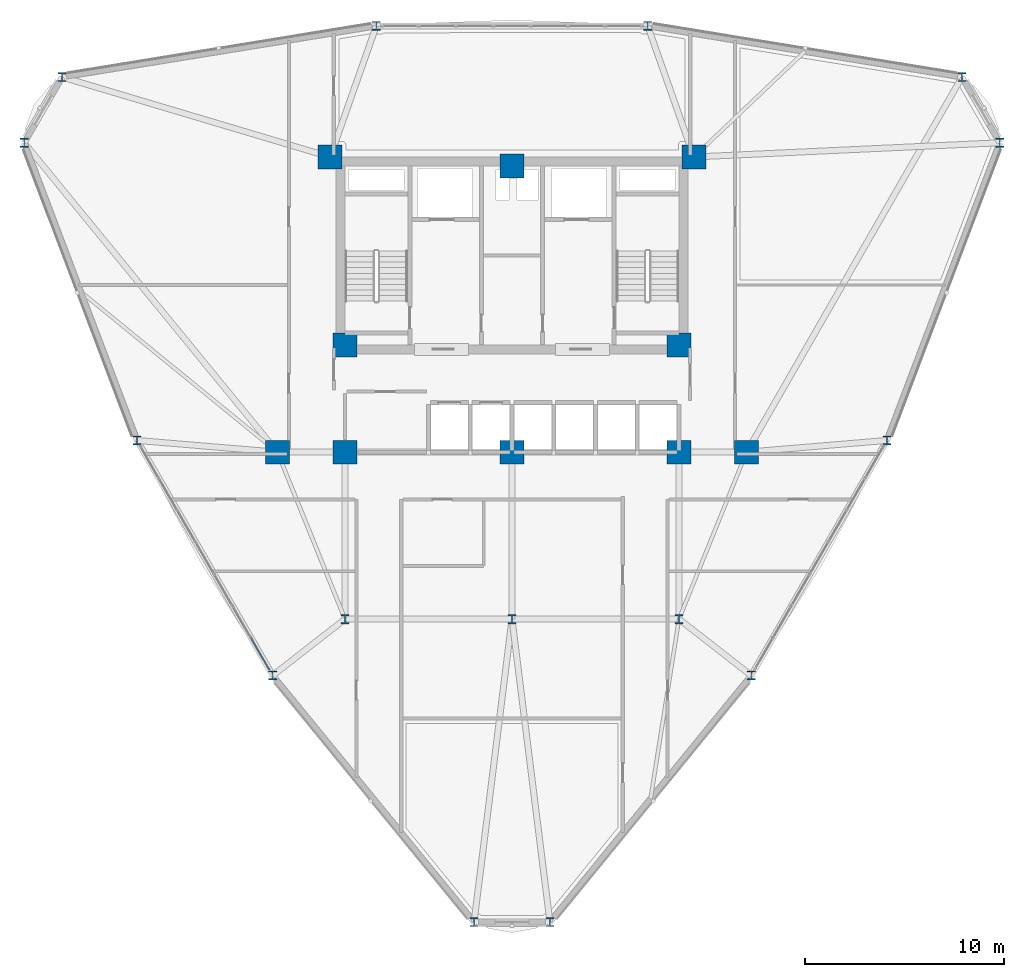
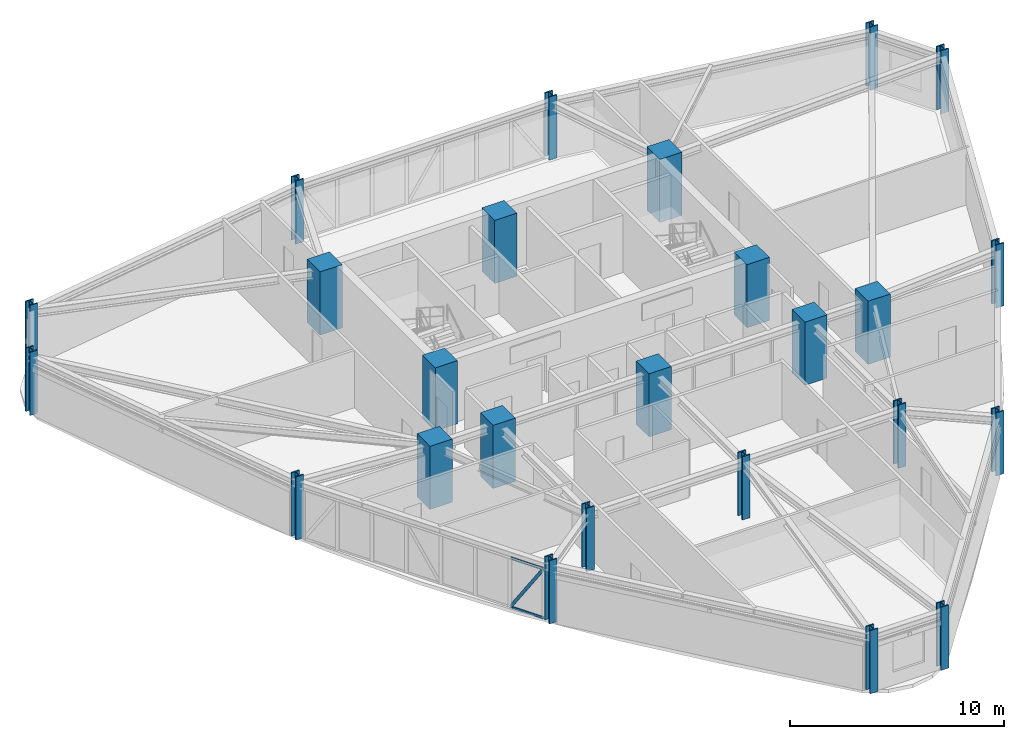
# One storey, part 1 of 17: 25 columns, 3 members, 1 element without a shape of its own.
"""IFC4 building model written with IfcOpenShell, lengths in metres."""

from ifc_helpers import new_model, si_unit, derived_unit, direction, frame, origin, origin_2d, place, context, subcontext, project, spatial, rectangle, hollow_rectangle, i_section, extrude, source, transform, mapped, material, layer, layer_set, material_profile, profile_set, type_object, element, aggregate, save


model = new_model("IFC4")

# Units and contexts
model_context = context("Model", 3, precision=1e-05, world=origin(), true_north=direction((0.0, 1.0)))
body_context = subcontext(model_context, "Body", "Model", "MODEL_VIEW")
ifc_project = project(units=[si_unit("LENGTHUNIT", "METRE"), si_unit("AREAUNIT", "SQUARE_METRE"), si_unit("VOLUMEUNIT", "CUBIC_METRE"), si_unit("PLANEANGLEUNIT", "RADIAN"), si_unit("MASSUNIT", "GRAM", prefix="KILO"), derived_unit("THERMALTRANSMITTANCEUNIT", [(si_unit("POWERUNIT", "WATT"), 1), (si_unit("LENGTHUNIT", "METRE"), -2), (si_unit("THERMODYNAMICTEMPERATUREUNIT", "KELVIN"), -1)])], contexts=[model_context])

# Site, building, storey
site_placement = place(None, origin())
site = spatial("IfcSite", under=ifc_project, at=site_placement, CompositionType="ELEMENT")
building_placement = place(site_placement, origin())
building = spatial("IfcBuilding", under=site, at=building_placement, Name="Korsvarv Bourse and Concert Hall", CompositionType="ELEMENT")
storey_placement = place(building_placement, frame((0.0, 0.0, 127.800048828125)))
storey = spatial("IfcBuildingStorey", under=building, at=storey_placement, Name="L32", CompositionType="ELEMENT", Elevation=127.800048828125)

# Columns
ifc_material_1 = material(Name="Concrete C60/75", Category="concrete")
ifc_material_profile_1 = material_profile(ifc_material_1, rectangle(XDim=1.199951171875, YDim=1.199951171875, at=origin_2d()), Name="RC 1200x1200")
ifc_profile_set_1 = profile_set([ifc_material_profile_1], Name="Concrete C60/75")
column_type_1 = type_object("IfcColumnType", Name="COL-RC1200", PredefinedType="COLUMN", material=ifc_profile_set_1)
shared_shape_1 = source(origin(), body_context, "Body", "SweptSolid", [
    extrude(rectangle(XDim=1.199951171875, YDim=1.199951171875, at=origin_2d()), origin(), (0.0, 0.0, 1.0), 3.599853515625),
])
for number, where, z_axis, x_axis, name in (
    (1, (26.85009765625, 47.25, 0.0), (0.0, 0.0, 1.0), (1.0, 0.0, 0.0), "L32 column C-02"),
    (2, (45.14990234375, 47.25, 0.0), (0.0, 0.0, 1.0), (1.0, 0.0, 0.0), "L32 column C-02"),
    (3, (27.60009765625, 37.800048828125, 0.0), (0.0, 0.0, 1.0), (1.0, 0.0, 0.0), "L32 column C-02"),
    (4, (44.39990234375, 37.800048828125, 0.0), (0.0, 0.0, 1.0), (1.0, 0.0, 0.0), "L32 column C-02"),
    (5, (27.60009765625, 32.39990234375, 0.0), (0.0, 0.0, 1.0), (1.0, 0.0, 0.0), "L32 column C-02"),
    (6, (44.39990234375, 32.39990234375, 0.0), (0.0, 0.0, 1.0), (1.0, 0.0, 0.0), "L32 column C-02"),
    (7, (36.0, 46.800048828125, 0.0), (0.0, 0.0, 1.0), (1.0, 0.0, 0.0), "L32 column C-02"),
    (8, (36.0, 32.39990234375, 0.0), (0.0, 0.0, 1.0), (1.0, 0.0, 0.0), "L32 column C-02"),
    (9, (24.199951171875, 32.39990234375, 0.0), (0.0, 0.0, 1.0), (1.0, 0.0, 0.0), "L32 column C-02"),
    (10, (47.800048828125, 32.39990234375, 0.0), (0.0, 0.0, 1.0), (1.0, 0.0, 0.0), "L32 column C-02"),
):
    element("IfcColumn", number, at=place(storey_placement, frame(where, z_axis=z_axis, x_axis=x_axis)), inside=storey, type_object=column_type_1, Name=name, PredefinedType="COLUMN", context=body_context, shape_type="MappedRepresentation", body=[
        mapped(shared_shape_1, transform((0.0, 0.0, 0.0), scale=1.0)),
    ])
ifc_material_2 = material(Name="Steel S460", Category="steel")
ifc_material_profile_2 = material_profile(ifc_material_2, i_section(OverallWidth=0.424072265625, OverallDepth=0.47412109375, WebThickness=0.044921875, FlangeThickness=0.072021484375, FilletRadius=0.014892578125, at=origin_2d()), Name="HD 400x634")
ifc_profile_set_2 = profile_set([ifc_material_profile_2], Name="Steel S460")
column_type_2 = type_object("IfcColumnType", Name="COL-HD634", PredefinedType="COLUMN", material=ifc_profile_set_2)
shared_shape_2 = source(origin(), body_context, "Body", "SweptSolid", [
    extrude(i_section(OverallWidth=0.424072265625, OverallDepth=0.47412109375, WebThickness=0.044921875, FlangeThickness=0.072021484375, FilletRadius=0.014892578125, at=origin_2d()), origin(), (0.0, 0.0, 1.0), 3.599853515625),
])
for number, where, z_axis, x_axis, name in (
    (11, (27.60009765625, 24.0, 0.0), (0.0, 0.0, 1.0), (1.0, 0.0, 0.0), "L32 column C-07"),
    (12, (44.39990234375, 24.0, 0.0), (0.0, 0.0, 1.0), (1.0, 0.0, 0.0), "L32 column C-07"),
    (13, (36.0, 24.0, 0.0), (0.0, 0.0, 1.0), (1.0, 0.0, 0.0), "L32 column C-07"),
):
    element("IfcColumn", number, at=place(storey_placement, frame(where, z_axis=z_axis, x_axis=x_axis)), inside=storey, type_object=column_type_2, Name=name, PredefinedType="COLUMN", context=body_context, shape_type="MappedRepresentation", body=[
        mapped(shared_shape_2, transform((0.0, 0.0, 0.0), scale=1.0)),
    ])
ifc_material_profile_3 = material_profile(ifc_material_2, i_section(OverallWidth=0.41796875, OverallDepth=0.455078125, WebThickness=0.0390625, FlangeThickness=0.06298828125, FilletRadius=0.014892578125, at=origin_2d()), Name="HD 400x551")
ifc_profile_set_3 = profile_set([ifc_material_profile_3], Name="Steel S460")
column_type_3 = type_object("IfcColumnType", Name="COL-HD551", PredefinedType="COLUMN", material=ifc_profile_set_3)
shared_shape_3 = source(origin(), body_context, "Body", "SweptSolid", [
    extrude(i_section(OverallWidth=0.41796875, OverallDepth=0.455078125, WebThickness=0.0390625, FlangeThickness=0.06298828125, FilletRadius=0.014892578125, at=origin_2d()), origin(), (0.0, 0.0, 1.0), 3.599853515625),
])
for number, where, z_axis, x_axis, name in (
    (14, (60.541748046875, 47.966064453125, 0.0), (0.0, 0.0, 1.0), (1.0, 0.0, 0.0), "L32 column C-08"),
    (15, (58.6337890625, 51.270751953125, 0.0), (0.0, 0.0, 1.0), (1.0, 0.0, 0.0), "L32 column C-08"),
    (16, (42.82666015625, 53.84130859375, 0.0), (0.0, 0.0, 1.0), (1.0, 0.0, 0.0), "L32 column C-08"),
    (17, (29.17333984375, 53.84130859375, 0.0), (0.0, 0.0, 1.0), (1.0, 0.0, 0.0), "L32 column C-08"),
    (18, (13.3662109375, 51.270751953125, 0.0), (0.0, 0.0, 1.0), (1.0, 0.0, 0.0), "L32 column C-08"),
    (19, (11.458251953125, 47.966064453125, 0.0), (0.0, 0.0, 1.0), (1.0, 0.0, 0.0), "L32 column C-08"),
    (20, (17.1357421875, 32.991455078125, 0.0), (0.0, 0.0, 1.0), (1.0, 0.0, 0.0), "L32 column C-08"),
    (21, (23.96240234375, 21.167236328125, 0.0), (0.0, 0.0, 1.0), (1.0, 0.0, 0.0), "L32 column C-08"),
    (22, (34.092041015625, 8.76318359375, 0.0), (0.0, 0.0, 1.0), (1.0, 0.0, 0.0), "L32 column C-08"),
    (23, (37.907958984375, 8.76318359375, 0.0), (0.0, 0.0, 1.0), (1.0, 0.0, 0.0), "L32 column C-08"),
    (24, (48.03759765625, 21.167236328125, 0.0), (0.0, 0.0, 1.0), (1.0, 0.0, 0.0), "L32 column C-08"),
    (25, (54.8642578125, 32.991455078125, 0.0), (0.0, 0.0, 1.0), (1.0, 0.0, 0.0), "L32 column C-08"),
):
    element("IfcColumn", number, at=place(storey_placement, frame(where, z_axis=z_axis, x_axis=x_axis)), inside=storey, type_object=column_type_3, Name=name, PredefinedType="COLUMN", context=body_context, shape_type="MappedRepresentation", body=[
        mapped(shared_shape_3, transform((0.0, 0.0, 0.0), scale=1.0)),
    ])

# Curtain wall, members
ifc_material_3 = material(Name="Anodised aluminium and triple low-E glazing", Category="glass")
ifc_layer = layer(ifc_material_3, 0.2099609375)
ifc_layer_set = layer_set([ifc_layer], Name="Anodised aluminium and triple low-E glazing")
curtain_wall_type = type_object("IfcCurtainWallType", Name="CW-SYS-2", PredefinedType="NOTDEFINED", material=ifc_layer_set)
curtain_wall_placement = place(storey_placement, origin())
curtain_wall = element("IfcCurtainWall", 26, at=curtain_wall_placement, inside=storey, type_object=curtain_wall_type, Name="L32 CW2 curtain wall CW-L32-F07", PredefinedType="NOTDEFINED")
ifc_material_4 = material(Name="Extruded aluminium EN AW-6063 T66", Category="aluminium")
ifc_material_profile_4 = material_profile(ifc_material_4, hollow_rectangle(XDim=0.06494140625, YDim=0.139892578125, WallThickness=0.00390625, at=origin_2d()), Name="ALU-T 65x140")
ifc_profile_set_4 = profile_set([ifc_material_profile_4], Name="Extruded aluminium EN AW-6063 T66")
member_type_1 = type_object("IfcMemberType", Name="CWT-140", PredefinedType="USERDEFINED", material=ifc_profile_set_4)
shared_shape_4 = source(origin(), body_context, "Body", "SweptSolid", [
    extrude(hollow_rectangle(XDim=0.06494140625, YDim=0.139892578125, WallThickness=0.00390625, at=origin_2d()), origin(), (0.0, 0.0, 1.0), 1.75390625),
])
member_1_placement = place(storey_placement, frame((22.890380859375, 23.0244140625, 0.032470703125), z_axis=(0.499971461383, -0.866041879935, 0.0), x_axis=(0.866041879935, 0.499971461383, 0.0)))
member_1 = element("IfcMember", 27, at=member_1_placement, type_object=member_type_1, Name="CW2 transom 7.1", ObjectType="TRANSOM", PredefinedType="USERDEFINED", context=body_context, shape_type="MappedRepresentation", body=[
    mapped(shared_shape_4, transform((0.0, 0.0, 0.0), scale=1.0)),
])
member_2_placement = place(storey_placement, frame((22.890380859375, 23.0244140625, 2.827392578125), z_axis=(0.499971461383, -0.866041879935, 0.0), x_axis=(0.866041879935, 0.499971461383, 0.0)))
member_2 = element("IfcMember", 28, at=member_2_placement, type_object=member_type_1, Name="CW2 transom 7.2", ObjectType="TRANSOM", PredefinedType="USERDEFINED", context=body_context, shape_type="MappedRepresentation", body=[
    mapped(shared_shape_4, transform((0.0, 0.0, 0.0), scale=1.0)),
])
ifc_material_profile_5 = material_profile(ifc_material_4, hollow_rectangle(XDim=0.06494140625, YDim=0.1650390625, WallThickness=0.0048828125, at=origin_2d()), Name="ALU-M 65x165")
ifc_profile_set_5 = profile_set([ifc_material_profile_5], Name="Extruded aluminium EN AW-6063 T66")
member_type_2 = type_object("IfcMemberType", Name="CWM-165", PredefinedType="MULLION", material=ifc_profile_set_5)
shared_shape_5 = source(origin(), body_context, "Body", "SweptSolid", [
    extrude(hollow_rectangle(XDim=0.06494140625, YDim=0.1650390625, WallThickness=0.0048828125, at=origin_2d()), origin(), (0.0, 0.0, 1.0), 3.244873046875),
])
member_3_placement = place(storey_placement, frame((22.890380859375, 23.0244140625, 0.06494140625), z_axis=(0.270256393379, -0.468133429734, 0.841315977385), x_axis=(0.866041879935, 0.499971461383, 0.0)))
member_3 = element("IfcMember", 29, at=member_3_placement, type_object=member_type_2, Name="CW2 diagonal mullion 7", PredefinedType="MULLION", context=body_context, shape_type="MappedRepresentation", body=[
    mapped(shared_shape_5, transform((0.0, 0.0, 0.0), scale=1.0)),
])
aggregate(curtain_wall, [member_1, member_2, member_3])

save(model, "model.ifc")
